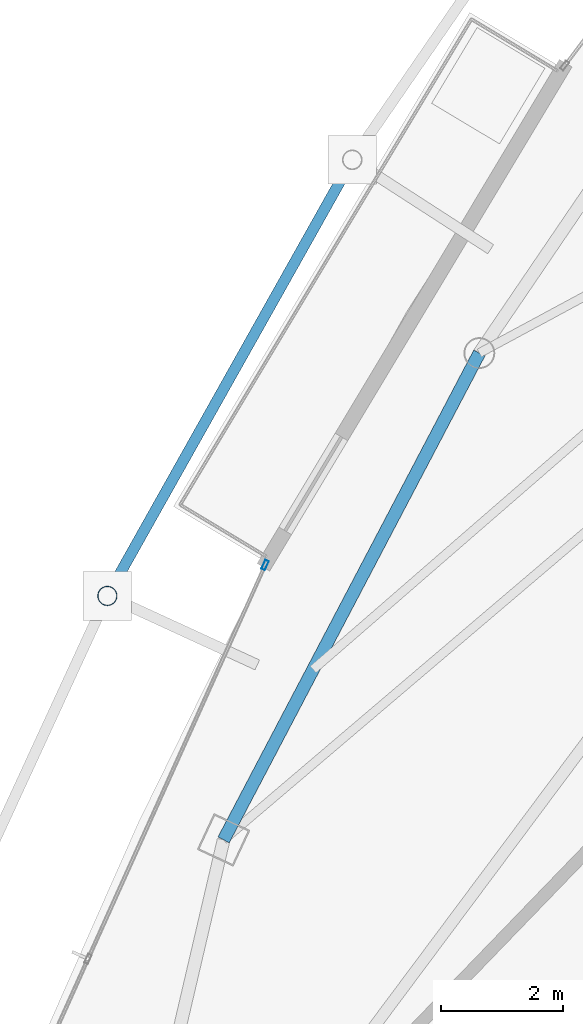
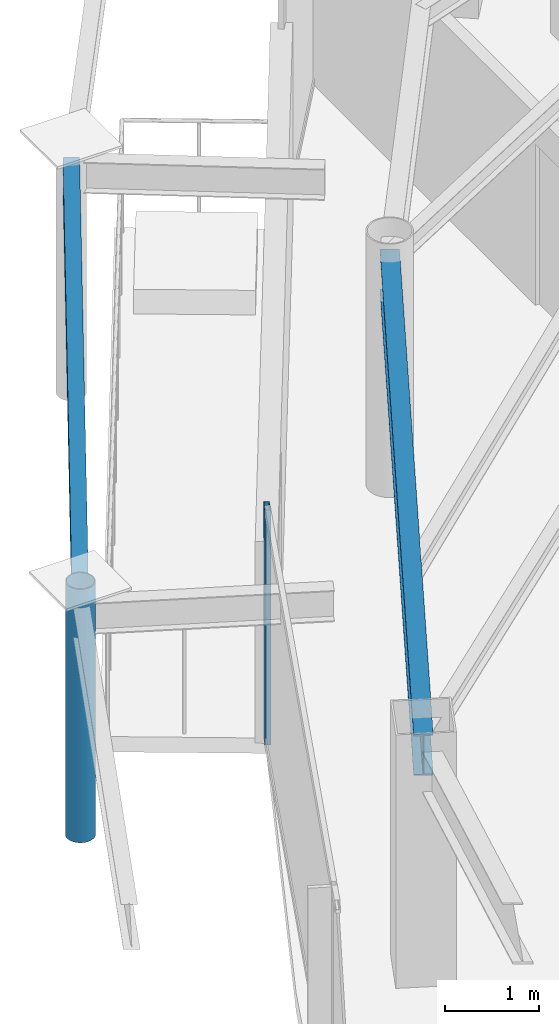
# One storey, part 10 of 28: 2 beams, 2 members, 1 element without a shape of its own.
"""IFC4 building model written with IfcOpenShell, lengths in metres."""

from ifc_helpers import new_model, si_unit, direction, frame, origin, origin_2d, place, context, subcontext, project, spatial, hollow_rectangle, hollow_circle, i_section, extrude, material, layer, layer_set, material_profile, profile_set, type_object, element, aggregate, save


model = new_model("IFC4")

# Units and contexts
model_context = context("Model", 3, precision=1e-05, world=origin(), true_north=direction((0.0, 1.0)))
body_context = subcontext(model_context, "Body", "Model", "MODEL_VIEW")
ifc_project = project(units=[si_unit("LENGTHUNIT", "METRE"), si_unit("AREAUNIT", "SQUARE_METRE"), si_unit("VOLUMEUNIT", "CUBIC_METRE"), si_unit("PLANEANGLEUNIT", "RADIAN"), si_unit("MASSUNIT", "GRAM", prefix="KILO")], contexts=[model_context])

# Site, building, storey
site_placement = place(None, origin())
site = spatial("IfcSite", under=ifc_project, at=site_placement, CompositionType="ELEMENT")
building_placement = place(site_placement, origin())
building = spatial("IfcBuilding", under=site, at=building_placement, Name="Orvanel Arch Residences", CompositionType="ELEMENT")
storey_placement = place(building_placement, frame((0.0, 0.0, 266.75)))
storey = spatial("IfcBuildingStorey", under=building, at=storey_placement, Name="L76", CompositionType="ELEMENT", Elevation=266.75)

# Curtain wall, member
ifc_material_1 = material(Name="Bronze-anodised aluminium AA6063-T6", Category="aluminium")
ifc_layer = layer(ifc_material_1, 0.175048828125)
ifc_layer_set = layer_set([ifc_layer], Name="Bronze-anodised aluminium AA6063-T6")
curtain_wall_type = type_object("IfcCurtainWallType", Name="CW4-HI-SYS", PredefinedType="NOTDEFINED", material=ifc_layer_set)
curtain_wall_placement = place(storey_placement, origin())
curtain_wall = element("IfcCurtainWall", 1, at=curtain_wall_placement, inside=storey, type_object=curtain_wall_type, Name="L76 CW4-HI-SYS Unitised Curtain Wall", PredefinedType="NOTDEFINED")
ifc_material_profile_1 = material_profile(ifc_material_1, hollow_rectangle(XDim=0.06494140625, YDim=0.159912109375, WallThickness=0.00390625, at=origin_2d()), Name="ALU160x65x4")
ifc_profile_set_1 = profile_set([ifc_material_profile_1], Name="Bronze-anodised aluminium AA6063-T6")
member_type_1 = type_object("IfcMemberType", Name="MUL-160x65", PredefinedType="MULLION", material=ifc_profile_set_1)
member_1_placement = place(storey_placement, frame((17.048583984375, 24.158447265625, 0.0), z_axis=(0.0, 0.0, 1.0), x_axis=(0.912050087349, -0.410078819456, 0.0)))
member_1 = element("IfcMember", 2, at=member_1_placement, type_object=member_type_1, Name="CW-S4 mullion 1", PredefinedType="MULLION", context=body_context, shape_type="SweptSolid", body=[
    extrude(hollow_rectangle(XDim=0.06494140625, YDim=0.159912109375, WallThickness=0.00390625, at=origin_2d()), origin(), (0.0, 0.0, 1.0), 3.06005859375),
])
aggregate(curtain_wall, [member_1])

# Beams
ifc_material_2 = material(Name="Structural steel AS/NZS 3679.1 Grade 300 (300 MPa)", Category="steel")
ifc_material_profile_2 = material_profile(ifc_material_2, i_section(OverallWidth=0.177978515625, OverallDepth=0.406005859375, WebThickness=0.0078125, FlangeThickness=0.0126953125, at=origin_2d()), Name="410UB59.7")
ifc_profile_set_2 = profile_set([ifc_material_profile_2], Name="Structural steel AS/NZS 3679.1 Grade 300 (300 MPa)")
beam_type_1 = type_object("IfcBeamType", Name="OB-410UB-EXT", PredefinedType="SPANDREL", material=ifc_profile_set_2)
beam_1_placement = place(storey_placement, frame((18.48095703125, 30.81689453125, 2.85693359375), z_axis=(-0.489617970835, -0.87193706346, 0.0), x_axis=(0.87193706346, -0.489617970835, 0.0)))
element("IfcBeam", 3, at=beam_1_placement, inside=storey, type_object=beam_type_1, Name="L76 Outer Perimeter Floor Ring Beam 02", PredefinedType="SPANDREL", context=body_context, shape_type="SweptSolid", body=[
    extrude(i_section(OverallWidth=0.177978515625, OverallDepth=0.406005859375, WebThickness=0.0078125, FlangeThickness=0.0126953125, at=origin_2d()), origin(), (0.0, 0.0, 1.0), 8.218505859375),
])
ifc_material_profile_3 = material_profile(ifc_material_2, i_section(OverallWidth=0.208984375, OverallDepth=0.532958984375, WebThickness=0.01025390625, FlangeThickness=0.015625, at=origin_2d()), Name="530UB92.4")
ifc_profile_set_3 = profile_set([ifc_material_profile_3], Name="Structural steel AS/NZS 3679.1 Grade 300 (300 MPa)")
beam_type_2 = type_object("IfcBeamType", Name="SP-530UB", PredefinedType="SPANDREL", material=ifc_profile_set_3)
beam_2_placement = place(storey_placement, frame((20.569091796875, 27.64111328125, 2.79296875), z_axis=(-0.465064762793, -0.885276660942, 0.0), x_axis=(0.885276660942, -0.465064762793, 0.0)))
element("IfcBeam", 4, at=beam_2_placement, inside=storey, type_object=beam_type_2, Name="L76 Perimeter Spandrel Beam 12", PredefinedType="SPANDREL", context=body_context, shape_type="SweptSolid", body=[
    extrude(i_section(OverallWidth=0.208984375, OverallDepth=0.532958984375, WebThickness=0.01025390625, FlangeThickness=0.015625, at=origin_2d()), origin(), (0.0, 0.0, 1.0), 9.03564453125),
])

# Member
ifc_material_3 = material(Name="Structural steel AS/NZS 1163 C350L0 (Grade 350)", Category="steel")
ifc_material_profile_4 = material_profile(ifc_material_3, hollow_circle(Radius=0.162109375, WallThickness=0.0126953125, at=origin_2d()), Name="CHS324x12.7")
ifc_profile_set_4 = profile_set([ifc_material_profile_4], Name="Structural steel AS/NZS 1163 C350L0 (Grade 350)")
member_type_2 = type_object("IfcMemberType", Name="ST-324CHS-EXT", PredefinedType="STRUT", material=ifc_profile_set_4)
member_2_placement = place(storey_placement, frame((14.45703125, 23.65087890625, 0.0), z_axis=(0.0, 0.0, 1.0), x_axis=(1.0, 0.0, 0.0)))
element("IfcMember", 5, at=member_2_placement, inside=storey, type_object=member_type_2, Name="L76 Outer Perimeter Frame Post 03", PredefinedType="STRUT", context=body_context, shape_type="SweptSolid", body=[
    extrude(hollow_circle(Radius=0.162109375, WallThickness=0.0126953125, at=origin_2d()), origin(), (0.0, 0.0, 1.0), 3.300048828125),
])

save(model, "model.ifc")
